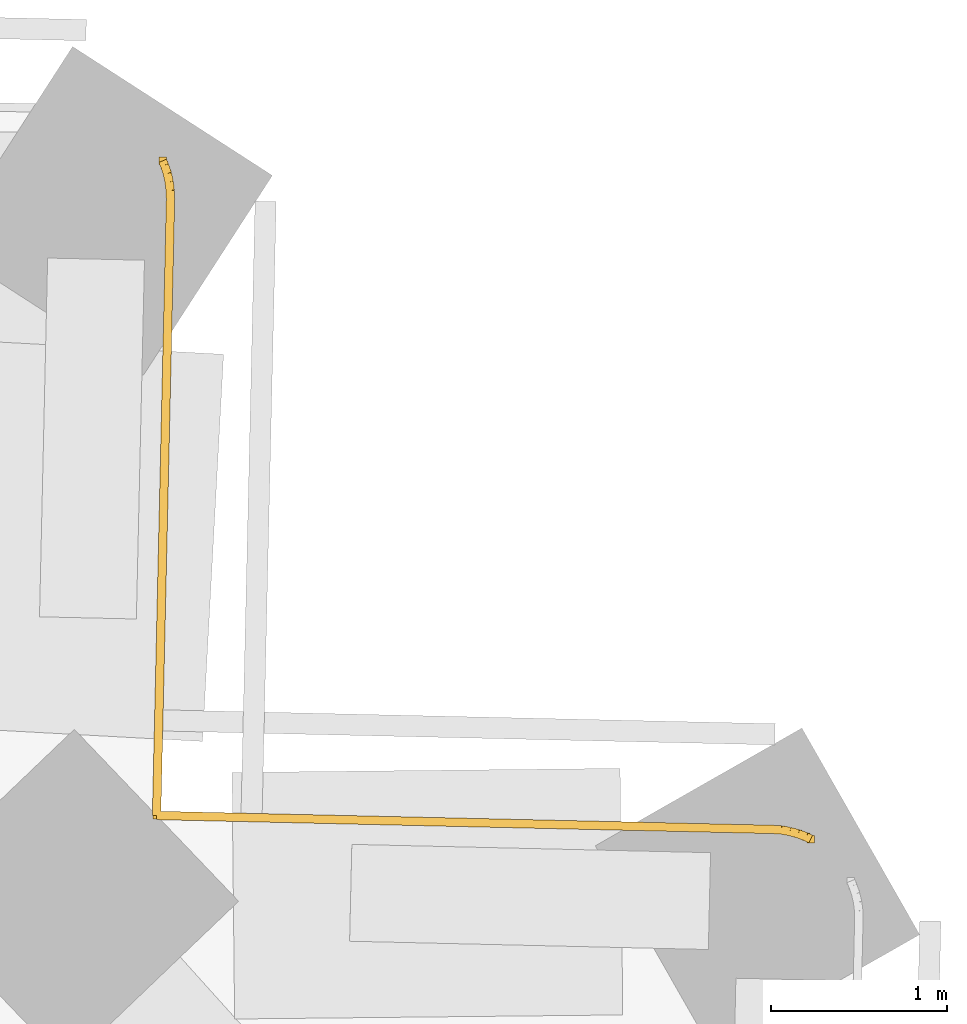
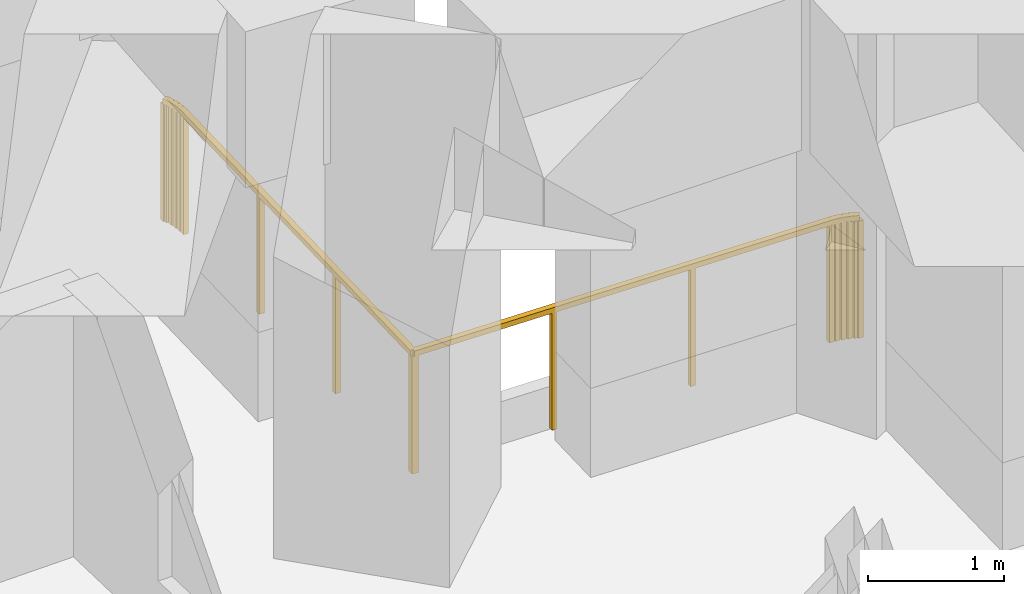
# One storey, part 21 of 21: 1 railing.
"""IFC4 building model written with IfcOpenShell, lengths in metres."""

from ifc_helpers import new_model, si_unit, direction, frame, origin, origin_2d, place, context, subcontext, project, spatial, rectangle, extrude, material, type_object, element, save


model = new_model("IFC4")

# Units and contexts
model_context = context("Model", 3, precision=1e-05, world=origin(), true_north=direction((0.0, 1.0)))
body_context = subcontext(model_context, "Body", "Model", "MODEL_VIEW")
ifc_project = project(units=[si_unit("LENGTHUNIT", "METRE"), si_unit("AREAUNIT", "SQUARE_METRE"), si_unit("VOLUMEUNIT", "CUBIC_METRE"), si_unit("PLANEANGLEUNIT", "RADIAN"), si_unit("MASSUNIT", "GRAM", prefix="KILO")], contexts=[model_context])

# Site, building, storey
site_placement = place(None, origin())
site = spatial("IfcSite", under=ifc_project, at=site_placement, CompositionType="ELEMENT")
building_placement = place(site_placement, origin())
building = spatial("IfcBuilding", under=site, at=building_placement, Name="Mangrove Gate Tower", CompositionType="ELEMENT")
storey_placement = place(building_placement, frame((0.0, 0.0, 125.5)))
storey = spatial("IfcBuildingStorey", under=building, at=storey_placement, Name="L31", CompositionType="ELEMENT", Elevation=125.5)

# Railing
ifc_material = material(Name="Stainless steel grade 316 with laminated glass infill", Category="steel")
railing_type = type_object("IfcRailingType", Name="Balcony guard 1100", PredefinedType="GUARDRAIL", material=ifc_material)
railing_placement = place(storey_placement, frame((21.990966796875, 25.037109375, 0.0)))
element("IfcRailing", 1, at=railing_placement, inside=storey, type_object=railing_type, Name="GUARD L31 T1.4", PredefinedType="GUARDRAIL", context=body_context, shape_type="SweptSolid", body=[
    extrude(rectangle(XDim=0.048095703125, YDim=0.048095703125, at=origin_2d()), frame((0.0, 0.0, 1.076171875), z_axis=(0.400352069216, -0.916361402872, 0.0), x_axis=(0.916361402872, 0.400352069216, 0.0)), (0.0, 0.0, 1.0), 0.02734375),
    extrude(rectangle(XDim=0.048095703125, YDim=0.048095703125, at=origin_2d()), frame((0.010986328125, -0.025146484375, 1.076171875), z_axis=(0.325079768511, -0.945686599305, 0.0), x_axis=(0.945686599305, 0.325079768511, 0.0)), (0.0, 0.0, 1.0), 0.049560546875),
    extrude(rectangle(XDim=0.048095703125, YDim=0.048095703125, at=origin_2d()), frame((0.027099609375, -0.072021484375, 1.076171875), z_axis=(0.203755794539, -0.979021744494, 0.0), x_axis=(0.979021744494, 0.203755794539, 0.0)), (0.0, 0.0, 1.0), 0.049072265625),
    extrude(rectangle(XDim=0.048095703125, YDim=0.048095703125, at=origin_2d()), frame((0.037109375, -0.1201171875, 1.076171875), z_axis=(0.120933275731, -0.992660638295, 0.0), x_axis=(0.992660638295, 0.120933275731, 0.0)), (0.0, 0.0, 1.0), 0.04833984375),
    extrude(rectangle(XDim=0.048095703125, YDim=0.048095703125, at=origin_2d()), frame((0.04296875, -0.168212890625, 1.076171875), z_axis=(0.039968038349, -0.999200958722, 0.0), x_axis=(0.999200958722, 0.039968038349, 0.0)), (0.0, 0.0, 1.0), 0.048828125),
    extrude(rectangle(XDim=0.048095703125, YDim=0.048095703125, at=origin_2d()), frame((0.044921875, -0.217041015625, 1.076171875), z_axis=(-0.022608516385, -0.999744394826, 0.0), x_axis=(0.999744394826, -0.022608516385, 0.0)), (0.0, 0.0, 1.0), 3.488037109375),
    extrude(rectangle(XDim=0.048095703125, YDim=0.048095703125, at=origin_2d()), frame((-0.033935546875, -3.7041015625, 1.076171875), z_axis=(0.0, -1.0, 0.0), x_axis=(1.0, 0.0, 0.0)), (0.0, 0.0, 1.0), 0.011962890625),
    extrude(rectangle(XDim=0.048095703125, YDim=0.048095703125, at=origin_2d()), frame((-0.033935546875, -3.716064453125, 1.076171875), z_axis=(0.996684615823, -0.081362009455, 0.0), x_axis=(0.081362009455, 0.996684615823, 0.0)), (0.0, 0.0, 1.0), 0.011962890625),
    extrude(rectangle(XDim=0.048095703125, YDim=0.048095703125, at=origin_2d()), frame((-0.02197265625, -3.717041015625, 1.076171875), z_axis=(0.999742666235, -0.022684825538, 0.0), x_axis=(0.022684825538, 0.999742666235, 0.0)), (0.0, 0.0, 1.0), 3.487060546875),
    extrude(rectangle(XDim=0.048095703125, YDim=0.048095703125, at=origin_2d()), frame((3.464111328125, -3.796142578125, 1.076171875), z_axis=(0.998204845466, -0.059892290728, 0.0), x_axis=(0.059892290728, 0.998204845466, 0.0)), (0.0, 0.0, 1.0), 0.048828125),
    extrude(rectangle(XDim=0.048095703125, YDim=0.048095703125, at=origin_2d()), frame((3.512939453125, -3.799072265625, 1.076171875), z_axis=(0.983476121369, -0.181037892988, 0.0), x_axis=(0.181037892988, 0.983476121369, 0.0)), (0.0, 0.0, 1.0), 0.0498046875),
    extrude(rectangle(XDim=0.048095703125, YDim=0.048095703125, at=origin_2d()), frame((3.56201171875, -3.80810546875, 1.076171875), z_axis=(0.964301134924, -0.264808083684, 0.0), x_axis=(0.264808083684, 0.964301134924, 0.0)), (0.0, 0.0, 1.0), 0.048828125),
    extrude(rectangle(XDim=0.048095703125, YDim=0.048095703125, at=origin_2d()), frame((3.609130859375, -3.821044921875, 1.076171875), z_axis=(0.937146050203, -0.348937359118, 0.0), x_axis=(0.348937359118, 0.937146050203, 0.0)), (0.0, 0.0, 1.0), 0.049072265625),
    extrude(rectangle(XDim=0.048095703125, YDim=0.048095703125, at=origin_2d()), frame((3.655029296875, -3.838134765625, 1.076171875), z_axis=(0.887359195726, -0.461078797779, 0.0), x_axis=(0.461078797779, 0.887359195726, 0.0)), (0.0, 0.0, 1.0), 0.028076171875),
    extrude(rectangle(XDim=0.0419921875, YDim=0.0419921875, at=origin_2d()), origin(), (0.0, 0.0, 1.0), 1.052001953125),
    extrude(rectangle(XDim=0.0419921875, YDim=0.0419921875, at=origin_2d()), frame((0.010986328125, -0.025146484375, 0.0)), (0.0, 0.0, 1.0), 1.052001953125),
    extrude(rectangle(XDim=0.0419921875, YDim=0.0419921875, at=origin_2d()), frame((0.027099609375, -0.072021484375, 0.0)), (0.0, 0.0, 1.0), 1.052001953125),
    extrude(rectangle(XDim=0.0419921875, YDim=0.0419921875, at=origin_2d()), frame((0.037109375, -0.1201171875, 0.0)), (0.0, 0.0, 1.0), 1.052001953125),
    extrude(rectangle(XDim=0.0419921875, YDim=0.0419921875, at=origin_2d()), frame((0.04296875, -0.168212890625, 0.0)), (0.0, 0.0, 1.0), 1.052001953125),
    extrude(rectangle(XDim=0.0419921875, YDim=0.0419921875, at=origin_2d()), frame((0.044921875, -0.217041015625, 0.0)), (0.0, 0.0, 1.0), 1.052001953125),
    extrude(rectangle(XDim=0.0419921875, YDim=0.0419921875, at=origin_2d()), frame((0.0185546875, -1.37939453125, 0.0)), (0.0, 0.0, 1.0), 1.052001953125),
    extrude(rectangle(XDim=0.0419921875, YDim=0.0419921875, at=origin_2d()), frame((-0.007568359375, -2.541748046875, 0.0)), (0.0, 0.0, 1.0), 1.052001953125),
    extrude(rectangle(XDim=0.0419921875, YDim=0.0419921875, at=origin_2d()), frame((-0.033935546875, -3.7041015625, 0.0)), (0.0, 0.0, 1.0), 1.052001953125),
    extrude(rectangle(XDim=0.0419921875, YDim=0.0419921875, at=origin_2d()), frame((-0.033935546875, -3.716064453125, 0.0)), (0.0, 0.0, 1.0), 1.052001953125),
    extrude(rectangle(XDim=0.0419921875, YDim=0.0419921875, at=origin_2d()), frame((-0.02197265625, -3.717041015625, 0.0)), (0.0, 0.0, 1.0), 1.052001953125),
    extrude(rectangle(XDim=0.0419921875, YDim=0.0419921875, at=origin_2d()), frame((1.14013671875, -3.743408203125, 0.0)), (0.0, 0.0, 1.0), 1.052001953125),
    extrude(rectangle(XDim=0.0419921875, YDim=0.0419921875, at=origin_2d()), frame((2.302001953125, -3.769775390625, 0.0)), (0.0, 0.0, 1.0), 1.052001953125),
    extrude(rectangle(XDim=0.0419921875, YDim=0.0419921875, at=origin_2d()), frame((3.464111328125, -3.796142578125, 0.0)), (0.0, 0.0, 1.0), 1.052001953125),
    extrude(rectangle(XDim=0.0419921875, YDim=0.0419921875, at=origin_2d()), frame((3.512939453125, -3.799072265625, 0.0)), (0.0, 0.0, 1.0), 1.052001953125),
    extrude(rectangle(XDim=0.0419921875, YDim=0.0419921875, at=origin_2d()), frame((3.56201171875, -3.80810546875, 0.0)), (0.0, 0.0, 1.0), 1.052001953125),
    extrude(rectangle(XDim=0.0419921875, YDim=0.0419921875, at=origin_2d()), frame((3.609130859375, -3.821044921875, 0.0)), (0.0, 0.0, 1.0), 1.052001953125),
    extrude(rectangle(XDim=0.0419921875, YDim=0.0419921875, at=origin_2d()), frame((3.655029296875, -3.838134765625, 0.0)), (0.0, 0.0, 1.0), 1.052001953125),
    extrude(rectangle(XDim=0.0419921875, YDim=0.0419921875, at=origin_2d()), frame((3.679931640625, -3.85107421875, 0.0)), (0.0, 0.0, 1.0), 1.052001953125),
])

save(model, "model.ifc")
